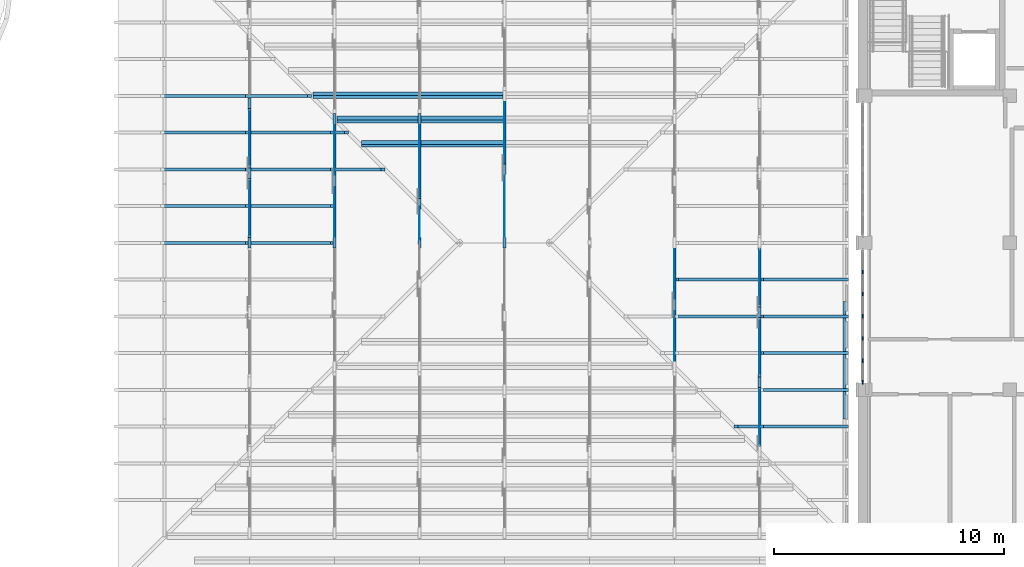
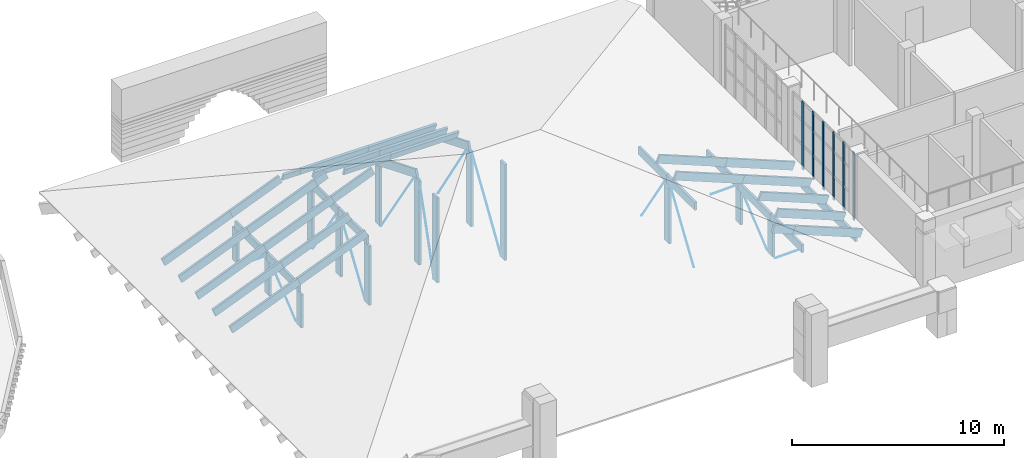
# One storey, part 6 of 68: 71 members, 1 beam, 1 element without a shape of its own.
"""IFC4 building model written with IfcOpenShell, lengths in metres."""

from ifc_helpers import new_model, si_unit, direction, frame, origin, origin_2d, place, context, subcontext, project, spatial, rectangle, circle, extrude, material, layer, layer_set, material_profile, profile_set, type_object, element, aggregate, save


model = new_model("IFC4")

# Units and contexts
model_context = context("Model", 3, precision=1e-05, world=origin(), true_north=direction((0.0, 1.0)))
body_context = subcontext(model_context, "Body", "Model", "MODEL_VIEW")
ifc_project = project(units=[si_unit("LENGTHUNIT", "METRE"), si_unit("AREAUNIT", "SQUARE_METRE"), si_unit("VOLUMEUNIT", "CUBIC_METRE"), si_unit("PLANEANGLEUNIT", "RADIAN"), si_unit("MASSUNIT", "GRAM", prefix="KILO")], contexts=[model_context])

# Site, building, storey
site_placement = place(None, origin())
site = spatial("IfcSite", under=ifc_project, at=site_placement, CompositionType="ELEMENT")
building_placement = place(site_placement, origin())
building = spatial("IfcBuilding", under=site, at=building_placement, Name="Wasatch Bagh Community Centre", CompositionType="ELEMENT")
storey_placement = place(building_placement, frame((0.0, 0.0, 8.39990234375)))
storey = spatial("IfcBuildingStorey", under=building, at=storey_placement, Name="L02", CompositionType="ELEMENT", Elevation=8.39990234375)

# Beam
ifc_material_1 = material(Name="Glulam 24F-V4 Douglas fir-larch", Category="wood")
ifc_material_profile_1 = material_profile(ifc_material_1, rectangle(XDim=0.130126953125, YDim=0.457275390625, at=origin_2d()), Name="GL 130x457")
ifc_profile_set_1 = profile_set([ifc_material_profile_1], Name="Glulam 24F-V4 Douglas fir-larch")
beam_type = type_object("IfcBeamType", Name="DH GL 130x457 beam", PredefinedType="BEAM", material=ifc_profile_set_1)
beam_placement = place(storey_placement, frame((95.800048828125, 11.320068359375, 0.228759765625), z_axis=(0.0, 1.0, 0.0), x_axis=(-1.0, 0.0, 0.0)))
element("IfcBeam", 1, at=beam_placement, inside=storey, type_object=beam_type, Name="DH.beam.L01.platee2", PredefinedType="BEAM", context=body_context, shape_type="SweptSolid", body=[
    extrude(rectangle(XDim=0.130126953125, YDim=0.457275390625, at=origin_2d()), origin(), (0.0, 0.0, 1.0), 5.119873046875),
])

# Members
ifc_material_profile_2 = material_profile(ifc_material_1, rectangle(XDim=0.130126953125, YDim=0.457275390625, at=origin_2d()), Name="GL 130x457")
ifc_profile_set_2 = profile_set([ifc_material_profile_2], Name="Glulam 24F-V4 Douglas fir-larch")
member_type_1 = type_object("IfcMemberType", Name="DH GL 130x457 chord", PredefinedType="CHORD", material=ifc_profile_set_2)
member_1_placement = place(storey_placement, frame((69.89990234375, 19.00048828125, 1.7236328125), z_axis=(0.0, 1.0, 0.0), x_axis=(-1.0, 0.0, 0.0)))
element("IfcMember", 2, at=member_1_placement, inside=storey, type_object=member_type_1, Name="DH.TH1.TC06", PredefinedType="CHORD", context=body_context, shape_type="SweptSolid", body=[
    extrude(rectangle(XDim=0.130126953125, YDim=0.457275390625, at=origin_2d()), origin(), (0.0, 0.0, 1.0), 3.0322265625),
])
member_2_placement = place(storey_placement, frame((69.89990234375, 22.033935546875, 1.7236328125), z_axis=(0.0, 1.0, 0.0), x_axis=(-1.0, 0.0, 0.0)))
element("IfcMember", 3, at=member_2_placement, inside=storey, type_object=member_type_1, Name="DH.TH1.TC07", PredefinedType="CHORD", context=body_context, shape_type="SweptSolid", body=[
    extrude(rectangle(XDim=0.130126953125, YDim=0.457275390625, at=origin_2d()), origin(), (0.0, 0.0, 1.0), 3.031982421875),
])
member_3_placement = place(storey_placement, frame((73.60009765625, 19.00048828125, 3.218505859375), z_axis=(0.0, 1.0, 0.0), x_axis=(-1.0, 0.0, 0.0)))
element("IfcMember", 4, at=member_3_placement, inside=storey, type_object=member_type_1, Name="DH.TH2.TC06", PredefinedType="CHORD", context=body_context, shape_type="SweptSolid", body=[
    extrude(rectangle(XDim=0.130126953125, YDim=0.457275390625, at=origin_2d()), origin(), (0.0, 0.0, 1.0), 2.69873046875),
])
member_4_placement = place(storey_placement, frame((73.60009765625, 21.70068359375, 3.218505859375), z_axis=(0.0, 0.999998777502, -0.001563647831), x_axis=(-1.0, 0.0, 0.0)))
element("IfcMember", 5, at=member_4_placement, inside=storey, type_object=member_type_1, Name="DH.TH2.TC07", PredefinedType="CHORD", context=body_context, shape_type="SweptSolid", body=[
    extrude(rectangle(XDim=0.130126953125, YDim=0.457275390625, at=origin_2d()), origin(), (0.0, 0.0, 1.0), 2.654296875),
])
member_5_placement = place(storey_placement, frame((77.300048828125, 20.74169921875, 4.692138671875), z_axis=(0.0, 0.925992338678, -0.377542300557), x_axis=(-1.0, 0.0, 0.0)))
element("IfcMember", 6, at=member_5_placement, inside=storey, type_object=member_type_1, Name="DH.TH3.TC07", PredefinedType="CHORD", context=body_context, shape_type="SweptSolid", body=[
    extrude(rectangle(XDim=0.130126953125, YDim=0.457275390625, at=origin_2d()), origin(), (0.0, 0.0, 1.0), 3.94970703125),
])
member_6_placement = place(storey_placement, frame((81.0, 22.200927734375, 4.089111328125), z_axis=(0.0, 0.927172833205, -0.374633871088), x_axis=(-1.0, 0.0, 0.0)))
element("IfcMember", 7, at=member_6_placement, inside=storey, type_object=member_type_1, Name="DH.TH4.TC07", PredefinedType="CHORD", context=body_context, shape_type="SweptSolid", body=[
    extrude(rectangle(XDim=0.130126953125, YDim=0.457275390625, at=origin_2d()), origin(), (0.0, 0.0, 1.0), 3.449951171875),
])
member_7_placement = place(storey_placement, frame((88.39990234375, 13.64501953125, 3.21435546875), z_axis=(0.0, 0.999998777502, 0.001563647831), x_axis=(-1.0, 0.0, 0.0)))
element("IfcMember", 8, at=member_7_placement, inside=storey, type_object=member_type_1, Name="DH.TH6.TC04", PredefinedType="CHORD", context=body_context, shape_type="SweptSolid", body=[
    extrude(rectangle(XDim=0.130126953125, YDim=0.457275390625, at=origin_2d()), origin(), (0.0, 0.0, 1.0), 2.654296875),
])
member_8_placement = place(storey_placement, frame((88.39990234375, 16.30078125, 3.218505859375), z_axis=(0.0, 1.0, 0.0), x_axis=(-1.0, 0.0, 0.0)))
element("IfcMember", 9, at=member_8_placement, inside=storey, type_object=member_type_1, Name="DH.TH6.TC05", PredefinedType="CHORD", context=body_context, shape_type="SweptSolid", body=[
    extrude(rectangle(XDim=0.130126953125, YDim=0.457275390625, at=origin_2d()), origin(), (0.0, 0.0, 1.0), 2.69873046875),
])
member_9_placement = place(storey_placement, frame((92.10009765625, 9.945068359375, 1.719482421875), z_axis=(0.0, 0.999999035022, 0.001389228046), x_axis=(-1.0, 0.0, 0.0)))
element("IfcMember", 10, at=member_9_placement, inside=storey, type_object=member_type_1, Name="DH.TH7.TC03", PredefinedType="CHORD", context=body_context, shape_type="SweptSolid", body=[
    extrude(rectangle(XDim=0.130126953125, YDim=0.457275390625, at=origin_2d()), origin(), (0.0, 0.0, 1.0), 2.987548828125),
])
member_10_placement = place(storey_placement, frame((92.10009765625, 12.93408203125, 1.7236328125), z_axis=(0.0, 1.0, 0.0), x_axis=(-1.0, 0.0, 0.0)))
element("IfcMember", 11, at=member_10_placement, inside=storey, type_object=member_type_1, Name="DH.TH7.TC04", PredefinedType="CHORD", context=body_context, shape_type="SweptSolid", body=[
    extrude(rectangle(XDim=0.130126953125, YDim=0.457275390625, at=origin_2d()), origin(), (0.0, 0.0, 1.0), 3.031982421875),
])
member_11_placement = place(storey_placement, frame((92.10009765625, 15.96728515625, 1.7236328125), z_axis=(0.0, 1.0, 0.0), x_axis=(-1.0, 0.0, 0.0)))
element("IfcMember", 12, at=member_11_placement, inside=storey, type_object=member_type_1, Name="DH.TH7.TC05", PredefinedType="CHORD", context=body_context, shape_type="SweptSolid", body=[
    extrude(rectangle(XDim=0.130126953125, YDim=0.457275390625, at=origin_2d()), origin(), (0.0, 0.0, 1.0), 3.0322265625),
])
ifc_material_profile_3 = material_profile(ifc_material_1, rectangle(XDim=0.130126953125, YDim=0.457275390625, at=origin_2d()), Name="GL 130x457")
ifc_profile_set_3 = profile_set([ifc_material_profile_3], Name="Glulam 24F-V4 Douglas fir-larch")
member_type_2 = type_object("IfcMemberType", Name="DH GL 130x457 post", PredefinedType="POST", material=ifc_profile_set_3)
for number, where, z_axis, x_axis, name in (
    (13, (69.89990234375, 19.0, -0.422607421875), (0.0, 0.0, 1.0), (1.0, 0.0, 0.0), "DH.TH1.PS05"),
    (14, (69.89990234375, 22.033447265625, -0.422607421875), (0.0, 0.0, 1.0), (1.0, 0.0, 0.0), "DH.TH1.PS06"),
    (15, (69.89990234375, 25.066650390625, -0.422607421875), (0.0, 0.0, 1.0), (1.0, 0.0, 0.0), "DH.TH1.PS07"),
):
    element("IfcMember", number, at=place(storey_placement, frame(where, z_axis=z_axis, x_axis=x_axis)), inside=storey, type_object=member_type_2, Name=name, PredefinedType="POST", context=body_context, shape_type="SweptSolid", body=[
        extrude(rectangle(XDim=0.130126953125, YDim=0.457275390625, at=origin_2d()), origin(), (0.0, 0.0, 1.0), 1.9169921875),
    ])
member_12_placement = place(storey_placement, frame((73.60009765625, 19.0, -0.422607421875), z_axis=(0.0, 0.0, 1.0), x_axis=(1.0, 0.0, 0.0)))
element("IfcMember", 16, at=member_12_placement, inside=storey, type_object=member_type_2, Name="DH.TH2.PS05", PredefinedType="POST", context=body_context, shape_type="SweptSolid", body=[
    extrude(rectangle(XDim=0.130126953125, YDim=0.457275390625, at=origin_2d()), origin(), (0.0, 0.0, 1.0), 3.412109375),
])
member_13_placement = place(storey_placement, frame((73.60009765625, 21.699951171875, -0.422607421875), z_axis=(0.0, 0.0, 1.0), x_axis=(1.0, 0.0, 0.0)))
element("IfcMember", 17, at=member_13_placement, inside=storey, type_object=member_type_2, Name="DH.TH2.PS06", PredefinedType="POST", context=body_context, shape_type="SweptSolid", body=[
    extrude(rectangle(XDim=0.130126953125, YDim=0.457275390625, at=origin_2d()), origin(), (0.0, 0.0, 1.0), 3.411865234375),
])
member_14_placement = place(storey_placement, frame((73.60009765625, 24.39990234375, -0.422607421875), z_axis=(0.0, 0.0, 1.0), x_axis=(1.0, 0.0, 0.0)))
element("IfcMember", 18, at=member_14_placement, inside=storey, type_object=member_type_2, Name="DH.TH2.PS07", PredefinedType="POST", context=body_context, shape_type="SweptSolid", body=[
    extrude(rectangle(XDim=0.130126953125, YDim=0.457275390625, at=origin_2d()), origin(), (0.0, 0.0, 1.0), 3.349853515625),
])
member_15_placement = place(storey_placement, frame((77.300048828125, 19.0, -0.422607421875), z_axis=(0.0, 0.0, 1.0), x_axis=(1.0, 0.0, 0.0)))
element("IfcMember", 19, at=member_15_placement, inside=storey, type_object=member_type_2, Name="DH.TH3.PS05", PredefinedType="POST", context=body_context, shape_type="SweptSolid", body=[
    extrude(rectangle(XDim=0.130126953125, YDim=0.457275390625, at=origin_2d()), origin(), (0.0, 0.0, 1.0), 4.90673828125),
])
member_16_placement = place(storey_placement, frame((77.300048828125, 20.699951171875, -0.422607421875), z_axis=(0.0, 0.0, 1.0), x_axis=(1.0, 0.0, 0.0)))
element("IfcMember", 20, at=member_16_placement, inside=storey, type_object=member_type_2, Name="DH.TH3.PS06", PredefinedType="POST", context=body_context, shape_type="SweptSolid", body=[
    extrude(rectangle(XDim=0.130126953125, YDim=0.457275390625, at=origin_2d()), origin(), (0.0, 0.0, 1.0), 4.8447265625),
])
member_17_placement = place(storey_placement, frame((77.300048828125, 24.39990234375, -0.422607421875), z_axis=(0.0, 0.0, 1.0), x_axis=(1.0, 0.0, 0.0)))
element("IfcMember", 21, at=member_17_placement, inside=storey, type_object=member_type_2, Name="DH.TH3.PS07", PredefinedType="POST", context=body_context, shape_type="SweptSolid", body=[
    extrude(rectangle(XDim=0.130126953125, YDim=0.457275390625, at=origin_2d()), origin(), (0.0, 0.0, 1.0), 3.34912109375),
])
member_18_placement = place(storey_placement, frame((81.0, 19.0, -0.422607421875), z_axis=(0.0, 0.0, 1.0), x_axis=(1.0, 0.0, 0.0)))
element("IfcMember", 22, at=member_18_placement, inside=storey, type_object=member_type_2, Name="DH.TH4.PS05", PredefinedType="POST", context=body_context, shape_type="SweptSolid", body=[
    extrude(rectangle(XDim=0.130126953125, YDim=0.457275390625, at=origin_2d()), origin(), (0.0, 0.0, 1.0), 5.531494140625),
])
member_19_placement = place(storey_placement, frame((81.0, 22.199951171875, -0.422607421875), z_axis=(0.0, 0.0, 1.0), x_axis=(1.0, 0.0, 0.0)))
element("IfcMember", 23, at=member_19_placement, inside=storey, type_object=member_type_2, Name="DH.TH4.PS06", PredefinedType="POST", context=body_context, shape_type="SweptSolid", body=[
    extrude(rectangle(XDim=0.130126953125, YDim=0.457275390625, at=origin_2d()), origin(), (0.0, 0.0, 1.0), 4.23779296875),
])
member_20_placement = place(storey_placement, frame((88.39990234375, 16.300048828125, -0.422607421875), z_axis=(0.0, 0.0, 1.0), x_axis=(1.0, 0.0, 0.0)))
element("IfcMember", 24, at=member_20_placement, inside=storey, type_object=member_type_2, Name="DH.TH6.PS04", PredefinedType="POST", context=body_context, shape_type="SweptSolid", body=[
    extrude(rectangle(XDim=0.130126953125, YDim=0.457275390625, at=origin_2d()), origin(), (0.0, 0.0, 1.0), 3.411865234375),
])
for number, where, z_axis, x_axis, name in (
    (25, (92.10009765625, 12.933349609375, -0.422607421875), (0.0, 0.0, 1.0), (1.0, 0.0, 0.0), "DH.TH7.PS03"),
    (26, (92.10009765625, 15.966552734375, -0.422607421875), (0.0, 0.0, 1.0), (1.0, 0.0, 0.0), "DH.TH7.PS04"),
):
    element("IfcMember", number, at=place(storey_placement, frame(where, z_axis=z_axis, x_axis=x_axis)), inside=storey, type_object=member_type_2, Name=name, PredefinedType="POST", context=body_context, shape_type="SweptSolid", body=[
        extrude(rectangle(XDim=0.130126953125, YDim=0.457275390625, at=origin_2d()), origin(), (0.0, 0.0, 1.0), 1.9169921875),
    ])
ifc_material_profile_4 = material_profile(ifc_material_1, rectangle(XDim=0.130126953125, YDim=0.457275390625, at=origin_2d()), Name="GL 130x457")
ifc_profile_set_4 = profile_set([ifc_material_profile_4], Name="Glulam 24F-V4 Douglas fir-larch")
member_type_3 = type_object("IfcMemberType", Name="DH GL 130x457 purlin", PredefinedType="PURLIN", material=ifc_profile_set_4)
member_21_placement = place(storey_placement, frame((72.6572265625, 25.428466796875, 3.278076171875), z_axis=(1.0, 0.0, 0.0), x_axis=(0.0, 0.927183854567, 0.374606593416)))
element("IfcMember", 27, at=member_21_placement, inside=storey, type_object=member_type_3, Name="DH.PUR.N09.1", PredefinedType="PURLIN", context=body_context, shape_type="SweptSolid", body=[
    extrude(rectangle(XDim=0.130126953125, YDim=0.457275390625, at=origin_2d()), origin(), (0.0, 0.0, 1.0), 0.94287109375),
])
for number, where, z_axis, x_axis, name in (
    (28, (73.60009765625, 25.428466796875, 3.278076171875), (1.0, 0.0, 0.0), (0.0, 0.927183854567, 0.374606593416), "DH.PUR.N09.2"),
    (29, (77.300048828125, 25.428466796875, 3.278076171875), (1.0, 0.0, 0.0), (0.0, 0.927183854567, 0.374606593416), "DH.PUR.N09.3"),
):
    element("IfcMember", number, at=place(storey_placement, frame(where, z_axis=z_axis, x_axis=x_axis)), inside=storey, type_object=member_type_3, Name=name, PredefinedType="PURLIN", context=body_context, shape_type="SweptSolid", body=[
        extrude(rectangle(XDim=0.130126953125, YDim=0.457275390625, at=origin_2d()), origin(), (0.0, 0.0, 1.0), 3.699951171875),
    ])
member_22_placement = place(storey_placement, frame((73.71435546875, 24.371337890625, 3.705322265625), z_axis=(1.0, 0.0, 0.0), x_axis=(0.0, 0.927183854567, 0.374606593416)))
element("IfcMember", 30, at=member_22_placement, inside=storey, type_object=member_type_3, Name="DH.PUR.N10.1", PredefinedType="PURLIN", context=body_context, shape_type="SweptSolid", body=[
    extrude(rectangle(XDim=0.130126953125, YDim=0.457275390625, at=origin_2d()), origin(), (0.0, 0.0, 1.0), 3.585693359375),
])
member_23_placement = place(storey_placement, frame((77.300048828125, 24.371337890625, 3.705322265625), z_axis=(1.0, 0.0, 0.0), x_axis=(0.0, 0.927183854567, 0.374606593416)))
element("IfcMember", 31, at=member_23_placement, inside=storey, type_object=member_type_3, Name="DH.PUR.N10.2", PredefinedType="PURLIN", context=body_context, shape_type="SweptSolid", body=[
    extrude(rectangle(XDim=0.130126953125, YDim=0.457275390625, at=origin_2d()), origin(), (0.0, 0.0, 1.0), 3.699951171875),
])
member_24_placement = place(storey_placement, frame((74.771484375, 23.314208984375, 4.13232421875), z_axis=(1.0, 0.0, 0.0), x_axis=(0.0, 0.927183854567, 0.374606593416)))
element("IfcMember", 32, at=member_24_placement, inside=storey, type_object=member_type_3, Name="DH.PUR.N11.1", PredefinedType="PURLIN", context=body_context, shape_type="SweptSolid", body=[
    extrude(rectangle(XDim=0.130126953125, YDim=0.457275390625, at=origin_2d()), origin(), (0.0, 0.0, 1.0), 2.528564453125),
])
member_25_placement = place(storey_placement, frame((77.300048828125, 23.314208984375, 4.13232421875), z_axis=(1.0, 0.0, 0.0), x_axis=(0.0, 0.927183854567, 0.374606593416)))
element("IfcMember", 33, at=member_25_placement, inside=storey, type_object=member_type_3, Name="DH.PUR.N11.2", PredefinedType="PURLIN", context=body_context, shape_type="SweptSolid", body=[
    extrude(rectangle(XDim=0.130126953125, YDim=0.457275390625, at=origin_2d()), origin(), (0.0, 0.0, 1.0), 3.699951171875),
])
ifc_material_profile_5 = material_profile(ifc_material_1, rectangle(XDim=0.130126953125, YDim=0.457275390625, at=origin_2d()), Name="GL 130x457")
ifc_profile_set_5 = profile_set([ifc_material_profile_5], Name="Glulam 24F-V4 Douglas fir-larch")
member_type_4 = type_object("IfcMemberType", Name="DH GL 130x457 rafter", PredefinedType="RAFTER", material=ifc_profile_set_5)
member_26_placement = place(storey_placement, frame((95.8857421875, 11.0, 0.669189453125), z_axis=(-0.927192810061, 0.0, 0.374584427026), x_axis=(0.0, -1.0, 0.0)))
element("IfcMember", 34, at=member_26_placement, inside=storey, type_object=member_type_4, Name="DH.RAF.E03.1", PredefinedType="RAFTER", context=body_context, shape_type="SweptSolid", body=[
    extrude(rectangle(XDim=0.130126953125, YDim=0.457275390625, at=origin_2d()), origin(), (0.0, 0.0, 1.0), 3.99072265625),
])
member_27_placement = place(storey_placement, frame((92.185546875, 11.0, 2.1640625), z_axis=(-0.927122236955, 0.0, 0.374759066259), x_axis=(0.0, -1.0, 0.0)))
element("IfcMember", 35, at=member_27_placement, inside=storey, type_object=member_type_4, Name="DH.RAF.E03.2", PredefinedType="RAFTER", context=body_context, shape_type="SweptSolid", body=[
    extrude(rectangle(XDim=0.130126953125, YDim=0.457275390625, at=origin_2d()), origin(), (0.0, 0.0, 1.0), 1.186279296875),
])
for number, where, z_axis, x_axis, name in (
    (36, (95.8857421875, 12.60009765625, 0.669189453125), (-0.927192810061, 0.0, 0.374584427026), (0.0, -1.0, 0.0), "DH.RAF.E04.1"),
    (37, (95.8857421875, 14.199951171875, 0.669189453125), (-0.927192810061, 0.0, 0.374584427026), (0.0, -1.0, 0.0), "DH.RAF.E05.1"),
    (38, (95.8857421875, 15.800048828125, 0.669189453125), (-0.927192810061, 0.0, 0.374584427026), (0.0, -1.0, 0.0), "DH.RAF.E06.1"),
):
    element("IfcMember", number, at=place(storey_placement, frame(where, z_axis=z_axis, x_axis=x_axis)), inside=storey, type_object=member_type_4, Name=name, PredefinedType="RAFTER", context=body_context, shape_type="SweptSolid", body=[
        extrude(rectangle(XDim=0.130126953125, YDim=0.457275390625, at=origin_2d()), origin(), (0.0, 0.0, 1.0), 3.99072265625),
    ])
member_28_placement = place(storey_placement, frame((92.185546875, 15.800048828125, 2.1640625), z_axis=(-0.927184225426, 0.0, 0.374605675505), x_axis=(0.0, -1.0, 0.0)))
element("IfcMember", 39, at=member_28_placement, inside=storey, type_object=member_type_4, Name="DH.RAF.E06.2", PredefinedType="RAFTER", context=body_context, shape_type="SweptSolid", body=[
    extrude(rectangle(XDim=0.130126953125, YDim=0.457275390625, at=origin_2d()), origin(), (0.0, 0.0, 1.0), 3.990478515625),
])
member_29_placement = place(storey_placement, frame((95.8857421875, 17.39990234375, 0.669189453125), z_axis=(-0.927192810061, 0.0, 0.374584427026), x_axis=(0.0, -1.0, 0.0)))
element("IfcMember", 40, at=member_29_placement, inside=storey, type_object=member_type_4, Name="DH.RAF.E07.1", PredefinedType="RAFTER", context=body_context, shape_type="SweptSolid", body=[
    extrude(rectangle(XDim=0.130126953125, YDim=0.457275390625, at=origin_2d()), origin(), (0.0, 0.0, 1.0), 3.99072265625),
])
member_30_placement = place(storey_placement, frame((92.185546875, 17.39990234375, 2.1640625), z_axis=(-0.927184225426, 0.0, 0.374605675505), x_axis=(0.0, -1.0, 0.0)))
element("IfcMember", 41, at=member_30_placement, inside=storey, type_object=member_type_4, Name="DH.RAF.E07.2", PredefinedType="RAFTER", context=body_context, shape_type="SweptSolid", body=[
    extrude(rectangle(XDim=0.130126953125, YDim=0.457275390625, at=origin_2d()), origin(), (0.0, 0.0, 1.0), 3.990478515625),
])
member_31_placement = place(storey_placement, frame((66.1142578125, 19.0, 0.669189453125), z_axis=(0.927192810061, 0.0, 0.374584427026), x_axis=(0.0, 1.0, 0.0)))
element("IfcMember", 42, at=member_31_placement, inside=storey, type_object=member_type_4, Name="DH.RAF.W08.2", PredefinedType="RAFTER", context=body_context, shape_type="SweptSolid", body=[
    extrude(rectangle(XDim=0.130126953125, YDim=0.457275390625, at=origin_2d()), origin(), (0.0, 0.0, 1.0), 3.99072265625),
])
member_32_placement = place(storey_placement, frame((69.814453125, 19.0, 2.1640625), z_axis=(0.927184225426, 0.0, 0.374605675505), x_axis=(0.0, 1.0, 0.0)))
element("IfcMember", 43, at=member_32_placement, inside=storey, type_object=member_type_4, Name="DH.RAF.W08.3", PredefinedType="RAFTER", context=body_context, shape_type="SweptSolid", body=[
    extrude(rectangle(XDim=0.130126953125, YDim=0.457275390625, at=origin_2d()), origin(), (0.0, 0.0, 1.0), 3.990478515625),
])
member_33_placement = place(storey_placement, frame((66.1142578125, 20.60009765625, 0.669189453125), z_axis=(0.927192810061, 0.0, 0.374584427026), x_axis=(0.0, 1.0, 0.0)))
element("IfcMember", 44, at=member_33_placement, inside=storey, type_object=member_type_4, Name="DH.RAF.W09.2", PredefinedType="RAFTER", context=body_context, shape_type="SweptSolid", body=[
    extrude(rectangle(XDim=0.130126953125, YDim=0.457275390625, at=origin_2d()), origin(), (0.0, 0.0, 1.0), 3.99072265625),
])
member_34_placement = place(storey_placement, frame((69.814453125, 20.60009765625, 2.1640625), z_axis=(0.927184225426, 0.0, 0.374605675505), x_axis=(0.0, 1.0, 0.0)))
element("IfcMember", 45, at=member_34_placement, inside=storey, type_object=member_type_4, Name="DH.RAF.W09.3", PredefinedType="RAFTER", context=body_context, shape_type="SweptSolid", body=[
    extrude(rectangle(XDim=0.130126953125, YDim=0.457275390625, at=origin_2d()), origin(), (0.0, 0.0, 1.0), 3.990478515625),
])
member_35_placement = place(storey_placement, frame((66.1142578125, 22.199951171875, 0.669189453125), z_axis=(0.927192810061, 0.0, 0.374584427026), x_axis=(0.0, 1.0, 0.0)))
element("IfcMember", 46, at=member_35_placement, inside=storey, type_object=member_type_4, Name="DH.RAF.W10.2", PredefinedType="RAFTER", context=body_context, shape_type="SweptSolid", body=[
    extrude(rectangle(XDim=0.130126953125, YDim=0.457275390625, at=origin_2d()), origin(), (0.0, 0.0, 1.0), 3.99072265625),
])
member_36_placement = place(storey_placement, frame((69.814453125, 22.199951171875, 2.1640625), z_axis=(0.927184225426, 0.0, 0.374605675505), x_axis=(0.0, 1.0, 0.0)))
element("IfcMember", 47, at=member_36_placement, inside=storey, type_object=member_type_4, Name="DH.RAF.W10.3", PredefinedType="RAFTER", context=body_context, shape_type="SweptSolid", body=[
    extrude(rectangle(XDim=0.130126953125, YDim=0.457275390625, at=origin_2d()), origin(), (0.0, 0.0, 1.0), 3.990478515625),
])
member_37_placement = place(storey_placement, frame((73.514404296875, 22.199951171875, 3.658935546875), z_axis=(0.927172429486, 0.0, 0.374634870243), x_axis=(0.0, 1.0, 0.0)))
element("IfcMember", 48, at=member_37_placement, inside=storey, type_object=member_type_4, Name="DH.RAF.W10.4", PredefinedType="RAFTER", context=body_context, shape_type="SweptSolid", body=[
    extrude(rectangle(XDim=0.130126953125, YDim=0.457275390625, at=origin_2d()), origin(), (0.0, 0.0, 1.0), 2.372802734375),
])
member_38_placement = place(storey_placement, frame((66.1142578125, 23.800048828125, 0.669189453125), z_axis=(0.927192810061, 0.0, 0.374584427026), x_axis=(0.0, 1.0, 0.0)))
element("IfcMember", 49, at=member_38_placement, inside=storey, type_object=member_type_4, Name="DH.RAF.W11.2", PredefinedType="RAFTER", context=body_context, shape_type="SweptSolid", body=[
    extrude(rectangle(XDim=0.130126953125, YDim=0.457275390625, at=origin_2d()), origin(), (0.0, 0.0, 1.0), 3.99072265625),
])
member_39_placement = place(storey_placement, frame((69.814453125, 23.800048828125, 2.1640625), z_axis=(0.927184225426, 0.0, 0.374605675505), x_axis=(0.0, 1.0, 0.0)))
element("IfcMember", 50, at=member_39_placement, inside=storey, type_object=member_type_4, Name="DH.RAF.W11.3", PredefinedType="RAFTER", context=body_context, shape_type="SweptSolid", body=[
    extrude(rectangle(XDim=0.130126953125, YDim=0.457275390625, at=origin_2d()), origin(), (0.0, 0.0, 1.0), 3.990478515625),
])
member_40_placement = place(storey_placement, frame((73.514404296875, 23.800048828125, 3.658935546875), z_axis=(0.927143538775, 0.0, 0.374706363046), x_axis=(0.0, 1.0, 0.0)))
element("IfcMember", 51, at=member_40_placement, inside=storey, type_object=member_type_4, Name="DH.RAF.W11.4", PredefinedType="RAFTER", context=body_context, shape_type="SweptSolid", body=[
    extrude(rectangle(XDim=0.130126953125, YDim=0.457275390625, at=origin_2d()), origin(), (0.0, 0.0, 1.0), 0.64697265625),
])
member_41_placement = place(storey_placement, frame((66.1142578125, 25.39990234375, 0.669189453125), z_axis=(0.927192810061, 0.0, 0.374584427026), x_axis=(0.0, 1.0, 0.0)))
element("IfcMember", 52, at=member_41_placement, inside=storey, type_object=member_type_4, Name="DH.RAF.W12.2", PredefinedType="RAFTER", context=body_context, shape_type="SweptSolid", body=[
    extrude(rectangle(XDim=0.130126953125, YDim=0.457275390625, at=origin_2d()), origin(), (0.0, 0.0, 1.0), 3.99072265625),
])
member_42_placement = place(storey_placement, frame((69.814453125, 25.39990234375, 2.1640625), z_axis=(0.927158403169, 0.0, 0.374669581677), x_axis=(0.0, 1.0, 0.0)))
element("IfcMember", 53, at=member_42_placement, inside=storey, type_object=member_type_4, Name="DH.RAF.W12.3", PredefinedType="RAFTER", context=body_context, shape_type="SweptSolid", body=[
    extrude(rectangle(XDim=0.130126953125, YDim=0.457275390625, at=origin_2d()), origin(), (0.0, 0.0, 1.0), 2.912109375),
])
ifc_material_2 = material(Name="ASTM A572 Grade 50 steel", Category="steel")
ifc_material_profile_6 = material_profile(ifc_material_2, circle(Radius=0.01611328125, at=origin_2d()), Name="ROD 32")
ifc_profile_set_6 = profile_set([ifc_material_profile_6], Name="ASTM A572 Grade 50 steel")
member_type_5 = type_object("IfcMemberType", Name="DH ROD 32 brace", PredefinedType="BRACE", material=ifc_profile_set_6)
for number, where, z_axis, x_axis, name in (
    (54, (69.89990234375, 19.370849609375, -0.409912109375), (0.0, 0.771109056571, 0.636703088475), (-1.0, 0.0, 0.0), "DH.TH1.WB05"),
    (55, (69.89990234375, 24.69580078125, -0.409912109375), (0.0, -0.771109056571, 0.636703088475), (1.0, 0.0, 0.0), "DH.TH1.WB06"),
):
    element("IfcMember", number, at=place(storey_placement, frame(where, z_axis=z_axis, x_axis=x_axis)), inside=storey, type_object=member_type_5, Name=name, PredefinedType="BRACE", context=body_context, shape_type="SweptSolid", body=[
        extrude(circle(Radius=0.01611328125, at=origin_2d()), origin(), (0.0, 0.0, 1.0), 2.9716796875),
    ])
member_43_placement = place(storey_placement, frame((73.60009765625, 19.232177734375, -0.413330078125), z_axis=(0.0, 0.55014487941, 0.835069225669), x_axis=(-1.0, 0.0, 0.0)))
element("IfcMember", 56, at=member_43_placement, inside=storey, type_object=member_type_5, Name="DH.TH2.WB05", PredefinedType="BRACE", context=body_context, shape_type="SweptSolid", body=[
    extrude(circle(Radius=0.01611328125, at=origin_2d()), origin(), (0.0, 0.0, 1.0), 4.064208984375),
])
member_44_placement = place(storey_placement, frame((73.60009765625, 24.16796875, -0.413330078125), z_axis=(0.0, -0.550172478391, 0.835051042764), x_axis=(1.0, 0.0, 0.0)))
element("IfcMember", 57, at=member_44_placement, inside=storey, type_object=member_type_5, Name="DH.TH2.WB06", PredefinedType="BRACE", context=body_context, shape_type="SweptSolid", body=[
    extrude(circle(Radius=0.01611328125, at=origin_2d()), origin(), (0.0, 0.0, 1.0), 4.06396484375),
])
member_45_placement = place(storey_placement, frame((77.300048828125, 19.1416015625, -0.417724609375), z_axis=(0.0, 0.278080184003, 0.96055786461), x_axis=(-1.0, 0.0, 0.0)))
element("IfcMember", 58, at=member_45_placement, inside=storey, type_object=member_type_5, Name="DH.TH3.WB05", PredefinedType="BRACE", context=body_context, shape_type="SweptSolid", body=[
    extrude(circle(Radius=0.01611328125, at=origin_2d()), origin(), (0.0, 0.0, 1.0), 5.0947265625),
])
member_46_placement = place(storey_placement, frame((77.300048828125, 24.166259765625, -0.413330078125), z_axis=(0.0, -0.554302384292, 0.832315364972), x_axis=(1.0, 0.0, 0.0)))
element("IfcMember", 59, at=member_46_placement, inside=storey, type_object=member_type_5, Name="DH.TH3.WB06", PredefinedType="BRACE", context=body_context, shape_type="SweptSolid", body=[
    extrude(circle(Radius=0.01611328125, at=origin_2d()), origin(), (0.0, 0.0, 1.0), 5.666015625),
])
member_47_placement = place(storey_placement, frame((81.0, 19.22705078125, -0.41357421875), z_axis=(0.0, 0.538541858733, 0.842598757649), x_axis=(-1.0, 0.0, 0.0)))
element("IfcMember", 60, at=member_47_placement, inside=storey, type_object=member_type_5, Name="DH.TH4.WB05", PredefinedType="BRACE", context=body_context, shape_type="SweptSolid", body=[
    extrude(circle(Radius=0.01611328125, at=origin_2d()), origin(), (0.0, 0.0, 1.0), 5.14453125),
])
member_48_placement = place(storey_placement, frame((81.0, 25.1708984375, -0.41357421875), z_axis=(0.0, -0.543470097756, 0.839428527538), x_axis=(1.0, 0.0, 0.0)))
element("IfcMember", 61, at=member_48_placement, inside=storey, type_object=member_type_5, Name="DH.TH4.WB06", PredefinedType="BRACE", context=body_context, shape_type="SweptSolid", body=[
    extrude(circle(Radius=0.01611328125, at=origin_2d()), origin(), (0.0, 0.0, 1.0), 4.9033203125),
])
member_49_placement = place(storey_placement, frame((88.39990234375, 13.83203125, -0.413330078125), z_axis=(0.0, 0.550172478391, 0.835051042764), x_axis=(-1.0, 0.0, 0.0)))
element("IfcMember", 62, at=member_49_placement, inside=storey, type_object=member_type_5, Name="DH.TH6.WB03", PredefinedType="BRACE", context=body_context, shape_type="SweptSolid", body=[
    extrude(circle(Radius=0.01611328125, at=origin_2d()), origin(), (0.0, 0.0, 1.0), 4.06396484375),
])
member_50_placement = place(storey_placement, frame((88.39990234375, 18.767822265625, -0.413330078125), z_axis=(0.0, -0.55014487941, 0.835069225669), x_axis=(1.0, 0.0, 0.0)))
element("IfcMember", 63, at=member_50_placement, inside=storey, type_object=member_type_5, Name="DH.TH6.WB04", PredefinedType="BRACE", context=body_context, shape_type="SweptSolid", body=[
    extrude(circle(Radius=0.01611328125, at=origin_2d()), origin(), (0.0, 0.0, 1.0), 4.064208984375),
])
member_51_placement = place(storey_placement, frame((92.10009765625, 12.561767578125, -0.409912109375), z_axis=(0.0, -0.771614424443, 0.636090543863), x_axis=(1.0, 0.0, 0.0)))
element("IfcMember", 64, at=member_51_placement, inside=storey, type_object=member_type_5, Name="DH.TH7.WB02", PredefinedType="BRACE", context=body_context, shape_type="SweptSolid", body=[
    extrude(circle(Radius=0.01611328125, at=origin_2d()), origin(), (0.0, 0.0, 1.0), 2.96875),
])
for number, where, z_axis, x_axis, name in (
    (65, (92.10009765625, 13.30419921875, -0.409912109375), (0.0, 0.771109056571, 0.636703088475), (-1.0, 0.0, 0.0), "DH.TH7.WB03"),
    (66, (92.10009765625, 18.629150390625, -0.409912109375), (0.0, -0.771109056571, 0.636703088475), (1.0, 0.0, 0.0), "DH.TH7.WB04"),
):
    element("IfcMember", number, at=place(storey_placement, frame(where, z_axis=z_axis, x_axis=x_axis)), inside=storey, type_object=member_type_5, Name=name, PredefinedType="BRACE", context=body_context, shape_type="SweptSolid", body=[
        extrude(circle(Radius=0.01611328125, at=origin_2d()), origin(), (0.0, 0.0, 1.0), 2.9716796875),
    ])

# Curtain wall, members
ifc_material_3 = material(Name="Aluminium alloy 6063-T6", Category="aluminium")
ifc_layer = layer(ifc_material_3, 0.10009765625)
ifc_layer_set = layer_set([ifc_layer], Name="Aluminium alloy 6063-T6")
curtain_wall_type = type_object("IfcCurtainWallType", Name="KW-CW1", PredefinedType="NOTDEFINED", material=ifc_layer_set)
curtain_wall_placement = place(storey_placement, origin())
curtain_wall = element("IfcCurtainWall", 67, at=curtain_wall_placement, inside=storey, type_object=curtain_wall_type, Name="Curtain wall KW-CW1", PredefinedType="NOTDEFINED")
ifc_material_profile_7 = material_profile(ifc_material_3, rectangle(XDim=0.06005859375, YDim=0.159912109375, at=origin_2d()), Name="AL 60x160")
ifc_profile_set_7 = profile_set([ifc_material_profile_7], Name="Aluminium alloy 6063-T6")
member_type_6 = type_object("IfcMemberType", Name="KW-CW1 mullion", PredefinedType="MULLION", material=ifc_profile_set_7)
member_52_placement = place(storey_placement, frame((96.60009765625, 12.929931640625, 0.0), z_axis=(0.0, 0.0, 1.0), x_axis=(-1.0, 0.0, 0.0)))
member_52 = element("IfcMember", 68, at=member_52_placement, type_object=member_type_6, Name="KW-CW1 mullion 1", PredefinedType="MULLION", context=body_context, shape_type="SweptSolid", body=[
    extrude(rectangle(XDim=0.06005859375, YDim=0.159912109375, at=origin_2d()), origin(), (0.0, 0.0, 1.0), 3.920166015625),
])
member_53_placement = place(storey_placement, frame((96.60009765625, 13.86669921875, 0.0), z_axis=(0.0, 0.0, 1.0), x_axis=(-1.0, 0.0, 0.0)))
member_53 = element("IfcMember", 69, at=member_53_placement, type_object=member_type_6, Name="KW-CW1 mullion 2", PredefinedType="MULLION", context=body_context, shape_type="SweptSolid", body=[
    extrude(rectangle(XDim=0.06005859375, YDim=0.159912109375, at=origin_2d()), origin(), (0.0, 0.0, 1.0), 3.920166015625),
])
member_54_placement = place(storey_placement, frame((96.60009765625, 14.833251953125, 0.0), z_axis=(0.0, 0.0, 1.0), x_axis=(-1.0, 0.0, 0.0)))
member_54 = element("IfcMember", 70, at=member_54_placement, type_object=member_type_6, Name="KW-CW1 mullion 3", PredefinedType="MULLION", context=body_context, shape_type="SweptSolid", body=[
    extrude(rectangle(XDim=0.06005859375, YDim=0.159912109375, at=origin_2d()), origin(), (0.0, 0.0, 1.0), 3.920166015625),
])
member_55_placement = place(storey_placement, frame((96.60009765625, 15.800048828125, 0.0), z_axis=(0.0, 0.0, 1.0), x_axis=(-1.0, 0.0, 0.0)))
member_55 = element("IfcMember", 71, at=member_55_placement, type_object=member_type_6, Name="KW-CW1 mullion 4", PredefinedType="MULLION", context=body_context, shape_type="SweptSolid", body=[
    extrude(rectangle(XDim=0.06005859375, YDim=0.159912109375, at=origin_2d()), origin(), (0.0, 0.0, 1.0), 3.920166015625),
])
member_56_placement = place(storey_placement, frame((96.60009765625, 16.7666015625, 0.0), z_axis=(0.0, 0.0, 1.0), x_axis=(-1.0, 0.0, 0.0)))
member_56 = element("IfcMember", 72, at=member_56_placement, type_object=member_type_6, Name="KW-CW1 mullion 5", PredefinedType="MULLION", context=body_context, shape_type="SweptSolid", body=[
    extrude(rectangle(XDim=0.06005859375, YDim=0.159912109375, at=origin_2d()), origin(), (0.0, 0.0, 1.0), 3.920166015625),
])
member_57_placement = place(storey_placement, frame((96.60009765625, 17.7333984375, 0.0), z_axis=(0.0, 0.0, 1.0), x_axis=(-1.0, 0.0, 0.0)))
member_57 = element("IfcMember", 73, at=member_57_placement, type_object=member_type_6, Name="KW-CW1 mullion 6", PredefinedType="MULLION", context=body_context, shape_type="SweptSolid", body=[
    extrude(rectangle(XDim=0.06005859375, YDim=0.159912109375, at=origin_2d()), origin(), (0.0, 0.0, 1.0), 3.920166015625),
])
aggregate(curtain_wall, [member_52, member_53, member_54, member_55, member_56, member_57])

save(model, "model.ifc")
